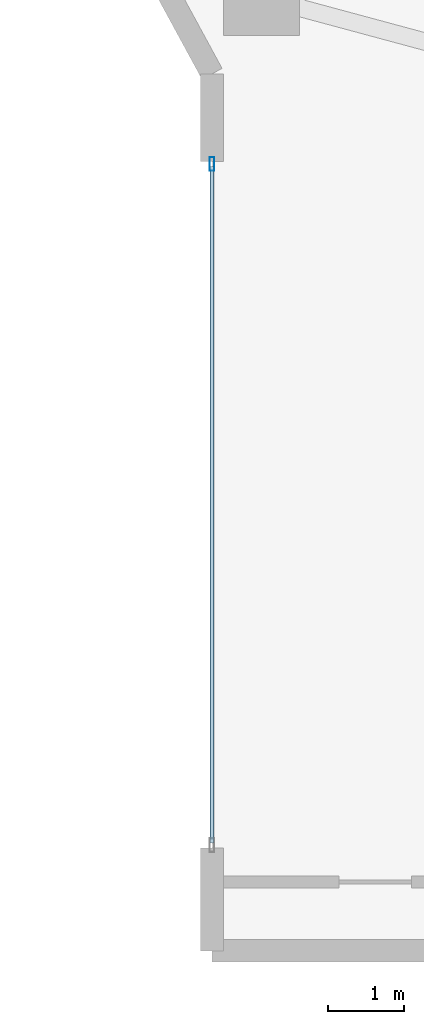
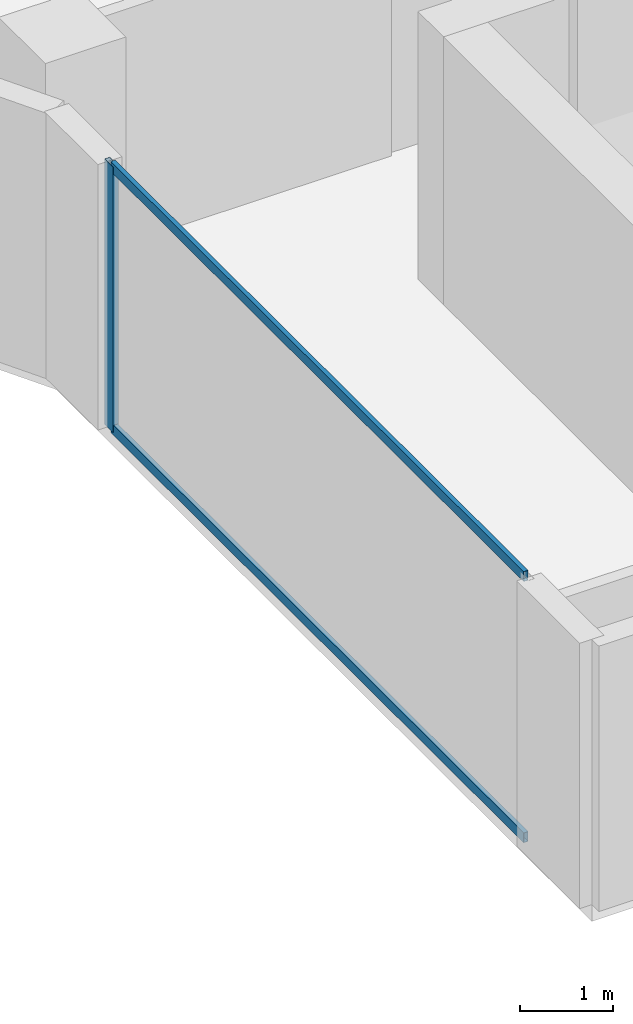
# One storey, part 3 of 24: 3 members, 1 element without a shape of its own.
"""IFC4 building model written with IfcOpenShell, lengths in metres."""

from ifc_helpers import new_model, si_unit, direction, frame, origin, origin_2d, place, context, subcontext, project, spatial, hollow_rectangle, extrude, material, layer, layer_set, material_profile, profile_set, type_object, element, aggregate, save


model = new_model("IFC4")

# Units and contexts
model_context = context("Model", 3, precision=1e-05, world=origin(), true_north=direction((0.0, 1.0)))
body_context = subcontext(model_context, "Body", "Model", "MODEL_VIEW")
ifc_project = project(units=[si_unit("LENGTHUNIT", "METRE"), si_unit("AREAUNIT", "SQUARE_METRE"), si_unit("VOLUMEUNIT", "CUBIC_METRE"), si_unit("PLANEANGLEUNIT", "RADIAN"), si_unit("MASSUNIT", "GRAM", prefix="KILO")], contexts=[model_context])

# Site, building, storey
site_placement = place(None, origin())
site = spatial("IfcSite", under=ifc_project, at=site_placement, CompositionType="ELEMENT")
building_placement = place(site_placement, origin())
building = spatial("IfcBuilding", under=site, at=building_placement, Name="Zuhayl Quay Hotel", CompositionType="ELEMENT")
storey_placement = place(building_placement, frame((0.0, 0.0, 280.35009765625)))
storey = spatial("IfcBuildingStorey", under=building, at=storey_placement, Name="L71", CompositionType="ELEMENT", Elevation=280.35009765625)

# Curtain wall, members
ifc_material_1 = material(Name="Anodised Aluminium 6063-T6", Category="aluminium")
ifc_layer = layer(ifc_material_1, 0.169921875, Name="Anodised Aluminium 6063-T6", Category="aluminium")
ifc_layer_set = layer_set([ifc_layer], Name="Anodised Aluminium 6063-T6")
curtain_wall_type = type_object("IfcCurtainWallType", Name="CW_SYS_Z4", PredefinedType="USERDEFINED", material=ifc_layer_set)
curtain_wall_placement = place(storey_placement, origin())
curtain_wall = element("IfcCurtainWall", 1, at=curtain_wall_placement, inside=storey, type_object=curtain_wall_type, Name="L71 Curtain Wall ENV_L71_E02_CW1", ObjectType="UNITISED CURTAIN WALL", PredefinedType="USERDEFINED")
ifc_material_2 = material(Name="Black-anodised aluminium 6063-T6", Category="aluminium")
ifc_material_profile_1 = material_profile(ifc_material_2, hollow_rectangle(XDim=0.06494140625, YDim=0.179931640625, WallThickness=0.00341796875, at=origin_2d()), Name="ALU180X65")
ifc_profile_set_1 = profile_set([ifc_material_profile_1], Name="Black-anodised aluminium 6063-T6")
member_type_1 = type_object("IfcMemberType", Name="MB_CW_MUL_180", PredefinedType="MULLION", material=ifc_profile_set_1)
member_1_placement = place(storey_placement, frame((-20.199951171875, 13.717529296875, 0.0), z_axis=(0.0, 0.0, 1.0), x_axis=(-1.0, 0.0, 0.0)))
member_1 = element("IfcMember", 2, at=member_1_placement, type_object=member_type_1, Name="CW-Z4 mullion 2", PredefinedType="MULLION", context=body_context, shape_type="SweptSolid", body=[
    extrude(hollow_rectangle(XDim=0.06494140625, YDim=0.179931640625, WallThickness=0.00341796875, at=origin_2d()), origin(), (0.0, 0.0, 1.0), 3.47998046875),
])
ifc_material_profile_2 = material_profile(ifc_material_2, hollow_rectangle(XDim=0.054931640625, YDim=0.1298828125, WallThickness=0.0029296875, at=origin_2d()), Name="ALU130X55")
ifc_profile_set_2 = profile_set([ifc_material_profile_2], Name="Black-anodised aluminium 6063-T6")
member_type_2 = type_object("IfcMemberType", Name="MB_CW_TRN_130", PredefinedType="USERDEFINED", material=ifc_profile_set_2)
member_2_placement = place(storey_placement, frame((-20.199951171875, 4.81494140625, 0.02734375), z_axis=(0.0, 1.0, 0.0), x_axis=(-1.0, 0.0, 0.0)))
member_2 = element("IfcMember", 3, at=member_2_placement, type_object=member_type_2, Name="CW-Z4 transom 1.1", ObjectType="TRANSOM", PredefinedType="USERDEFINED", context=body_context, shape_type="SweptSolid", body=[
    extrude(hollow_rectangle(XDim=0.054931640625, YDim=0.1298828125, WallThickness=0.0029296875, at=origin_2d()), origin(), (0.0, 0.0, 1.0), 8.8701171875),
])
member_3_placement = place(storey_placement, frame((-20.199951171875, 4.81494140625, 3.452392578125), z_axis=(0.0, 1.0, 0.0), x_axis=(-1.0, 0.0, 0.0)))
member_3 = element("IfcMember", 4, at=member_3_placement, type_object=member_type_2, Name="CW-Z4 transom 1.2", ObjectType="TRANSOM", PredefinedType="USERDEFINED", context=body_context, shape_type="SweptSolid", body=[
    extrude(hollow_rectangle(XDim=0.054931640625, YDim=0.1298828125, WallThickness=0.0029296875, at=origin_2d()), origin(), (0.0, 0.0, 1.0), 8.8701171875),
])
aggregate(curtain_wall, [member_1, member_2, member_3])

save(model, "model.ifc")
